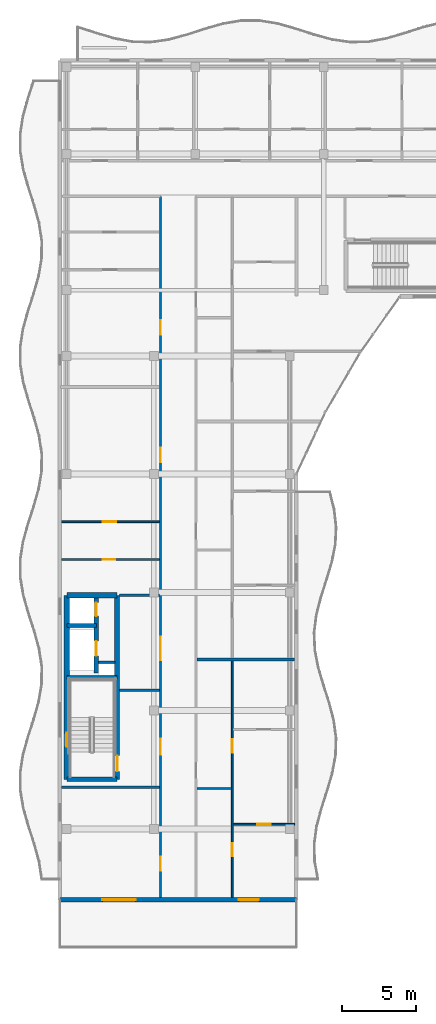
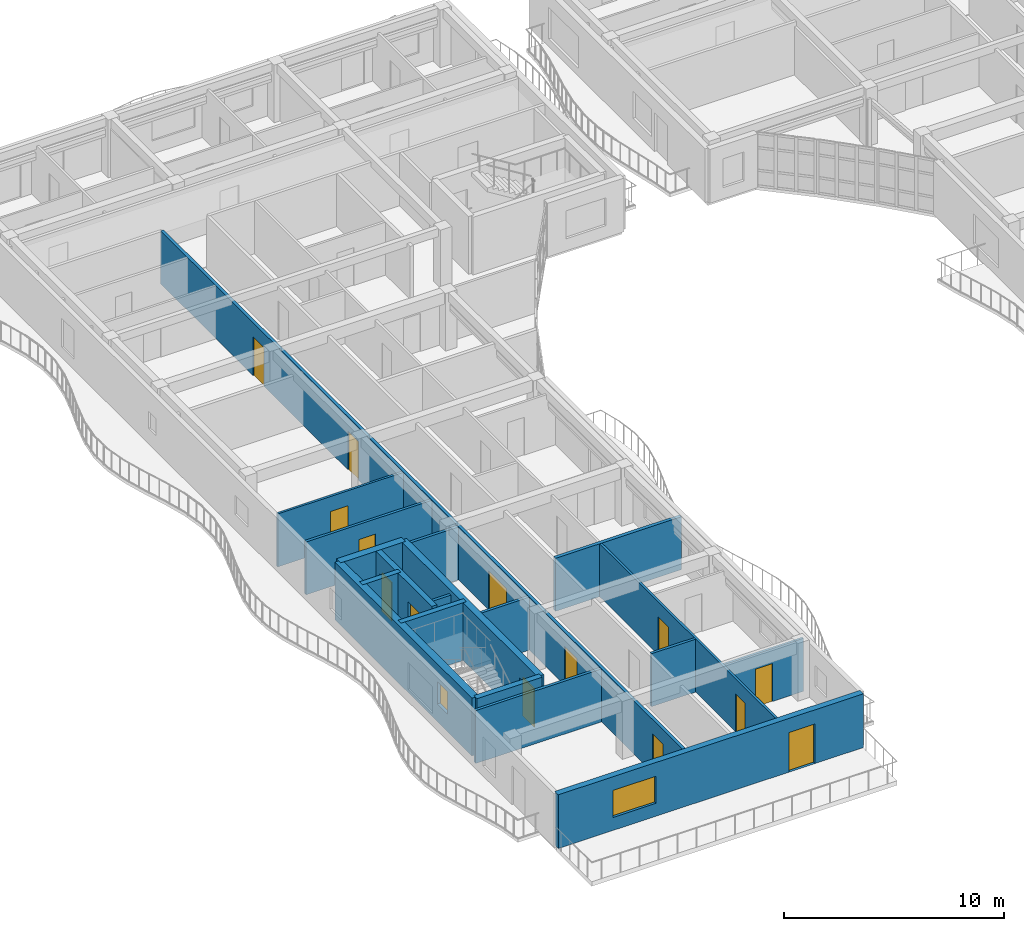
# One storey, part 29 of 72: 19 walls, 14 doors, 2 windows, 16 openings.
"""IFC4 building model written with IfcOpenShell, lengths in metres."""

from ifc_helpers import new_model, si_unit, direction, frame, frame_2d, origin, place, context, subcontext, project, spatial, rectangle, extrude, material, layer, layer_set, type_object, element, fill, save


model = new_model("IFC4")

# Units and contexts
model_context = context("Model", 3, precision=1e-05, world=origin(), true_north=direction((0.0, 1.0)))
body_context = subcontext(model_context, "Body", "Model", "MODEL_VIEW")
ifc_project = project(units=[si_unit("LENGTHUNIT", "METRE"), si_unit("AREAUNIT", "SQUARE_METRE"), si_unit("VOLUMEUNIT", "CUBIC_METRE"), si_unit("PLANEANGLEUNIT", "RADIAN"), si_unit("MASSUNIT", "GRAM", prefix="KILO")], contexts=[model_context])

# Site, building, storey
site_placement = place(None, origin())
site = spatial("IfcSite", under=ifc_project, at=site_placement, CompositionType="ELEMENT")
building_placement = place(site_placement, origin())
building = spatial("IfcBuilding", under=site, at=building_placement, Name="Keldmere Railside Commons", CompositionType="ELEMENT")
storey_placement = place(building_placement, frame((0.0, 0.0, 16.9599609375)))
storey = spatial("IfcBuildingStorey", under=building, at=storey_placement, Name="L05", CompositionType="ELEMENT", Elevation=16.9599609375)

# Wall
ifc_material_1 = material(Name="Acoustic Gypsum Board Partition", Category="gypsum")
ifc_layer_1 = layer(ifc_material_1, 0.179931640625, Name="Acoustic Demising Partition 180")
ifc_layer_set_1 = layer_set([ifc_layer_1], Name="Acoustic Gypsum Board Partition")
wall_type_1 = type_object("IfcWallType", Name="Acoustic Demising Partition 180", PredefinedType="PARTITIONING", material=ifc_layer_set_1)
wall_1_placement = place(storey_placement, frame((17.280029296875, 75.4599609375, 0.0), z_axis=(0.0, 0.0, 1.0), x_axis=(1.0, 0.0, 0.0)))
element("IfcWall", 1, at=wall_1_placement, inside=storey, type_object=wall_type_1, Name="IW-1 IW-L05-0375", PredefinedType="PARTITIONING", context=body_context, shape_type="SweptSolid", body=[
    extrude(rectangle(XDim=6.599853515625, YDim=0.179931640625, at=frame_2d((3.2998046875, 0.0))), origin(), (0.0, 0.0, 1.0), 2.93505859375),
])

# Wall, openings, doors
ifc_layer_2 = layer(ifc_material_1, 0.1201171875, Name="Apartment Interior Partition 120")
ifc_layer_set_2 = layer_set([ifc_layer_2], Name="Acoustic Gypsum Board Partition")
wall_type_2 = type_object("IfcWallType", Name="Apartment Interior Partition 120", PredefinedType="PARTITIONING", material=ifc_layer_set_2)
wall_2_placement = place(storey_placement, frame((19.659912109375, 59.360107421875, 0.0), z_axis=(0.0, 0.0, 1.0), x_axis=(0.0, 1.0, 0.0)))
wall_2 = element("IfcWall", 2, at=wall_2_placement, inside=storey, type_object=wall_type_2, Name="IW-4 IW-L05-0377", PredefinedType="PARTITIONING", context=body_context, shape_type="SweptSolid", body=[
    extrude(rectangle(XDim=16.010009765625, YDim=0.1201171875, at=frame_2d((8.0048828125, 0.0))), origin(), (0.0, 0.0, 1.0), 2.93505859375),
])
opening_1_placement = place(wall_2_placement, frame((2.796875, 0.0, 0.0)))
opening_1 = element("IfcOpeningElement", 3, at=opening_1_placement, cuts=wall_2, Name="Opening ID-04", PredefinedType="OPENING", context=body_context, shape_type="SweptSolid", body=[
    extrude(rectangle(XDim=0.860107421875, YDim=2.10009765625, at=frame_2d((0.43017578125, 1.050048828125))), frame((0.0, 0.070068359375, 0.0), z_axis=(0.0, -1.0, 0.0), x_axis=(1.0, 0.0, 0.0)), (0.0, 0.0, 1.0), 0.14013671875),
])
opening_2_placement = place(wall_2_placement, frame((9.781982421875, 0.0, 0.0)))
opening_2 = element("IfcOpeningElement", 4, at=opening_2_placement, cuts=wall_2, Name="Opening ID-03", PredefinedType="OPENING", context=body_context, shape_type="SweptSolid", body=[
    extrude(rectangle(XDim=0.919921875, YDim=2.10009765625, at=frame_2d((0.4599609375, 1.050048828125))), frame((0.0, 0.070068359375, 0.0), z_axis=(0.0, -1.0, 0.0), x_axis=(1.0, 0.0, 0.0)), (0.0, 0.0, 1.0), 0.14013671875),
])
ifc_material_2 = material(Name="Engineered Oak Timber", Category="wood")
door_type_1 = type_object("IfcDoorType", Name="Apartment Bathroom Door 860x2100", OperationType="NOTDEFINED", PredefinedType="DOOR", material=ifc_material_2)
door_1_placement = place(opening_1_placement, origin())
door_1 = element("IfcDoor", 5, at=door_1_placement, inside=storey, type_object=door_type_1, Name="ID-04 IDR-L05-0276", OperationType="SINGLE_SWING_RIGHT", OverallHeight=2.10009765625, OverallWidth=0.860107421875, PredefinedType="DOOR", context=body_context, shape_type="SweptSolid", body=[
    extrude(rectangle(XDim=0.860107421875, YDim=2.10009765625, at=frame_2d((0.43017578125, 1.050048828125))), frame((0.0, 0.02490234375, 0.0), z_axis=(0.0, -1.0, 0.0), x_axis=(1.0, 0.0, 0.0)), (0.0, 0.0, 1.0), 0.050048828125),
])
fill(opening_1, door_1)
door_type_2 = type_object("IfcDoorType", Name="Kitchen Pocket-Frame Swing Door 920x2100", OperationType="NOTDEFINED", PredefinedType="DOOR", material=ifc_material_2)
door_2_placement = place(opening_2_placement, origin())
door_2 = element("IfcDoor", 6, at=door_2_placement, inside=storey, type_object=door_type_2, Name="ID-03 IDR-L05-0277", OperationType="SINGLE_SWING_LEFT", OverallHeight=2.10009765625, OverallWidth=0.919921875, PredefinedType="DOOR", context=body_context, shape_type="SweptSolid", body=[
    extrude(rectangle(XDim=0.919921875, YDim=2.10009765625, at=frame_2d((0.4599609375, 1.050048828125))), frame((0.0, 0.02490234375, 0.0), z_axis=(0.0, -1.0, 0.0), x_axis=(1.0, 0.0, 0.0)), (0.0, 0.0, 1.0), 0.050048828125),
])
fill(opening_2, door_2)

# Wall, opening, door
wall_3_placement = place(storey_placement, frame((19.719970703125, 64.320068359375, 0.0), z_axis=(0.0, 0.0, 1.0), x_axis=(1.0, 0.0, 0.0)))
wall_3 = element("IfcWall", 7, at=wall_3_placement, inside=storey, type_object=wall_type_2, Name="IW-4 IW-L05-0379", PredefinedType="PARTITIONING", context=body_context, shape_type="SweptSolid", body=[
    extrude(rectangle(XDim=4.159912109375, YDim=0.1201171875, at=frame_2d((2.080078125, 0.0))), origin(), (0.0, 0.0, 1.0), 2.93505859375),
])
opening_3_placement = place(wall_3_placement, frame((1.6298828125, 0.0, 0.0)))
opening_3 = element("IfcOpeningElement", 8, at=opening_3_placement, cuts=wall_3, Name="Opening ID-01", PredefinedType="OPENING", context=body_context, shape_type="SweptSolid", body=[
    extrude(rectangle(XDim=0.89990234375, YDim=2.10009765625, at=frame_2d((0.449951171875, 1.050048828125))), frame((0.0, 0.070068359375, 0.0), z_axis=(0.0, -1.0, 0.0), x_axis=(1.0, 0.0, 0.0)), (0.0, 0.0, 1.0), 0.14013671875),
])
door_type_3 = type_object("IfcDoorType", Name="Primary Bedroom Door 900x2100", OperationType="NOTDEFINED", PredefinedType="DOOR", material=ifc_material_2)
door_3_placement = place(opening_3_placement, origin())
door_3 = element("IfcDoor", 9, at=door_3_placement, inside=storey, type_object=door_type_3, Name="ID-01 IDR-L05-0279", OperationType="SINGLE_SWING_LEFT", OverallHeight=2.10009765625, OverallWidth=0.89990234375, PredefinedType="DOOR", context=body_context, shape_type="SweptSolid", body=[
    extrude(rectangle(XDim=0.89990234375, YDim=2.10009765625, at=frame_2d((0.449951171875, 1.050048828125))), frame((0.0, 0.02490234375, 0.0), z_axis=(0.0, -1.0, 0.0), x_axis=(1.0, 0.0, 0.0)), (0.0, 0.0, 1.0), 0.050048828125),
])
fill(opening_3, door_3)

wall_4_placement = place(storey_placement, frame((8.1201171875, 84.780029296875, 0.0), z_axis=(0.0, 0.0, 1.0), x_axis=(1.0, 0.0, 0.0)))
wall_4 = element("IfcWall", 10, at=wall_4_placement, inside=storey, type_object=wall_type_2, Name="IW-4 IW-L05-0402", PredefinedType="PARTITIONING", context=body_context, shape_type="SweptSolid", body=[
    extrude(rectangle(XDim=6.599853515625, YDim=0.1201171875, at=frame_2d((3.2998046875, 0.0))), origin(), (0.0, 0.0, 1.0), 2.93505859375),
])
opening_4_placement = place(wall_4_placement, frame((2.77197265625, 0.0, 0.0)))
opening_4 = element("IfcOpeningElement", 11, at=opening_4_placement, cuts=wall_4, Name="Opening ID-03", PredefinedType="OPENING", context=body_context, shape_type="SweptSolid", body=[
    extrude(rectangle(XDim=0.919921875, YDim=2.10009765625, at=frame_2d((0.4599609375, 1.050048828125))), frame((0.0, 0.070068359375, 0.0), z_axis=(0.0, -1.0, 0.0), x_axis=(1.0, 0.0, 0.0)), (0.0, 0.0, 1.0), 0.14013671875),
])
door_4_placement = place(opening_4_placement, origin())
door_4 = element("IfcDoor", 12, at=door_4_placement, inside=storey, type_object=door_type_2, Name="ID-03 IDR-L05-0308", OperationType="SINGLE_SWING_RIGHT", OverallHeight=2.10009765625, OverallWidth=0.919921875, PredefinedType="DOOR", context=body_context, shape_type="SweptSolid", body=[
    extrude(rectangle(XDim=0.919921875, YDim=2.10009765625, at=frame_2d((0.4599609375, 1.050048828125))), frame((0.0, 0.02490234375, 0.0), z_axis=(0.0, -1.0, 0.0), x_axis=(1.0, 0.0, 0.0)), (0.0, 0.0, 1.0), 0.050048828125),
])
fill(opening_4, door_4)

# Walls
ifc_material_3 = material(Name="Concrete H-35 (C35/45)", Category="concrete")
ifc_layer_3 = layer(ifc_material_3, 0.280029296875, Name="Core Shear Wall 280")
ifc_layer_set_3 = layer_set([ifc_layer_3], Name="Concrete H-35 (C35/45)")
wall_type_3 = type_object("IfcWallType", Name="Core Shear Wall 280", PredefinedType="SHEAR", material=ifc_layer_set_3)
wall_5_placement = place(storey_placement, frame((8.4599609375, 74.239990234375, 0.0), z_axis=(0.0, 0.0, 1.0), x_axis=(1.0, 0.0, 0.0)))
element("IfcWall", 13, at=wall_5_placement, inside=storey, type_object=wall_type_3, Name="CSW-2 COREDM-L05-0091", PredefinedType="SHEAR", context=body_context, shape_type="SweptSolid", body=[
    extrude(rectangle(XDim=3.41015625, YDim=0.280029296875, at=frame_2d((1.705078125, 0.0))), origin(), (0.0, 0.0, 1.0), 3.199951171875),
])
wall_6_placement = place(storey_placement, frame((8.4599609375, 77.75, 0.0), z_axis=(0.0, 0.0, 1.0), x_axis=(1.0, 0.0, 0.0)))
element("IfcWall", 14, at=wall_6_placement, inside=storey, type_object=wall_type_3, Name="CSW-2 COREDL-L05-0092", PredefinedType="SHEAR", context=body_context, shape_type="SweptSolid", body=[
    extrude(rectangle(XDim=2.0, YDim=0.280029296875, at=frame_2d((1.0, 0.0))), origin(), (0.0, 0.0, 1.0), 3.199951171875),
])

# Wall, openings, doors
wall_7_placement = place(storey_placement, frame((10.4599609375, 74.550048828125, 0.0), z_axis=(0.0, 0.0, 1.0), x_axis=(0.0, 1.0, 0.0)))
wall_7 = element("IfcWall", 15, at=wall_7_placement, inside=storey, type_object=wall_type_3, Name="CSW-2 LSHD-L05-0093", PredefinedType="SHEAR", context=body_context, shape_type="SweptSolid", body=[
    extrude(rectangle(XDim=5.25, YDim=0.280029296875, at=frame_2d((2.625, 0.0))), origin(), (0.0, 0.0, 1.0), 3.199951171875),
])
opening_5_placement = place(wall_7_placement, frame((1.14990234375, 0.0, 0.0)))
opening_5 = element("IfcOpeningElement", 16, at=opening_5_placement, cuts=wall_7, Name="Opening LD-1", PredefinedType="OPENING", context=body_context, shape_type="SweptSolid", body=[
    extrude(rectangle(XDim=1.0, YDim=2.14990234375, at=frame_2d((0.5, 1.074951171875))), frame((0.0, 0.14990234375, 0.0), z_axis=(0.0, -1.0, 0.0), x_axis=(1.0, 0.0, 0.0)), (0.0, 0.0, 1.0), 0.300048828125),
])
opening_6_placement = place(wall_7_placement, frame((3.85009765625, 0.0, 0.0)))
opening_6 = element("IfcOpeningElement", 17, at=opening_6_placement, cuts=wall_7, Name="Opening LD-2", PredefinedType="OPENING", context=body_context, shape_type="SweptSolid", body=[
    extrude(rectangle(XDim=0.89990234375, YDim=2.14990234375, at=frame_2d((0.449951171875, 1.074951171875))), frame((0.0, 0.14990234375, 0.0), z_axis=(0.0, -1.0, 0.0), x_axis=(1.0, 0.0, 0.0)), (0.0, 0.0, 1.0), 0.300048828125),
])
ifc_material_4 = material(Name="Steel F-24 (S235)", Category="steel")
door_type_4 = type_object("IfcDoorType", Name="Firefighting Stretcher Lift Landing Door 1000x2150", OperationType="SLIDING_TO_LEFT", PredefinedType="DOOR", material=ifc_material_4)
door_5_placement = place(opening_5_placement, origin())
door_5 = element("IfcDoor", 18, at=door_5_placement, inside=storey, type_object=door_type_4, Name="LD-1 D L05", OperationType="SLIDING_TO_LEFT", OverallHeight=2.14990234375, OverallWidth=1.0, PredefinedType="DOOR", context=body_context, shape_type="SweptSolid", body=[
    extrude(rectangle(XDim=1.0, YDim=2.14990234375, at=frame_2d((0.5, 1.074951171875))), frame((0.0, 0.02490234375, 0.0), z_axis=(0.0, -1.0, 0.0), x_axis=(1.0, 0.0, 0.0)), (0.0, 0.0, 1.0), 0.050048828125),
])
fill(opening_5, door_5)
door_type_5 = type_object("IfcDoorType", Name="Passenger Lift Sliding Landing Door 900x2150", OperationType="SLIDING_TO_RIGHT", PredefinedType="DOOR", material=ifc_material_4)
door_6_placement = place(opening_6_placement, origin())
door_6 = element("IfcDoor", 19, at=door_6_placement, inside=storey, type_object=door_type_5, Name="LD-2 D L05", OperationType="SLIDING_TO_RIGHT", OverallHeight=2.14990234375, OverallWidth=0.89990234375, PredefinedType="DOOR", context=body_context, shape_type="SweptSolid", body=[
    extrude(rectangle(XDim=0.89990234375, YDim=2.14990234375, at=frame_2d((0.449951171875, 1.074951171875))), frame((0.0, 0.02490234375, 0.0), z_axis=(0.0, -1.0, 0.0), x_axis=(1.0, 0.0, 0.0)), (0.0, 0.0, 1.0), 0.050048828125),
])
fill(opening_6, door_6)

# Wall, opening, window
ifc_material_5 = material(Name="Concrete H-40 (C40/50)", Category="concrete")
ifc_layer_4 = layer(ifc_material_5, 0.3798828125, Name="Core Shear Wall 380")
ifc_layer_set_4 = layer_set([ifc_layer_4], Name="Concrete H-40 (C40/50)")
wall_type_4 = type_object("IfcWallType", Name="Core Shear Wall 380", PredefinedType="SHEAR", material=ifc_layer_set_4)
wall_8_placement = place(storey_placement, frame((8.4599609375, 67.35009765625, 0.0), z_axis=(0.0, 0.0, 1.0), x_axis=(0.0, 1.0, 0.0)))
wall_8 = element("IfcWall", 20, at=wall_8_placement, inside=storey, type_object=wall_type_4, Name="CW-CORE COREDW-L05-0087", PredefinedType="SHEAR", context=body_context, shape_type="SweptSolid", body=[
    extrude(rectangle(XDim=12.449951171875, YDim=0.3798828125, at=frame_2d((6.22509765625, 0.0))), origin(), (0.0, 0.0, 1.0), 3.199951171875),
])
opening_7_placement = place(wall_8_placement, frame((2.199951171875, 0.0, 0.969970703125)))
opening_7 = element("IfcOpeningElement", 21, at=opening_7_placement, cuts=wall_8, Name="Opening WN-17", PredefinedType="OPENING", context=body_context, shape_type="SweptSolid", body=[
    extrude(rectangle(XDim=0.949951171875, YDim=1.25, at=frame_2d((0.47509765625, 0.625))), frame((0.0, 0.199951171875, 0.0), z_axis=(0.0, -1.0, 0.0), x_axis=(1.0, 0.0, 0.0)), (0.0, 0.0, 1.0), 0.39990234375),
])
ifc_material_6 = material(Name="Low-E Insulated Double Glazing", Category="glass")
window_type_1 = type_object("IfcWindowType", Name="Stair Core Natural Smoke-Vent Window 950x1250", PartitioningType="SINGLE_PANEL", PredefinedType="WINDOW", material=ifc_material_6)
window_1_placement = place(opening_7_placement, origin())
window_1 = element("IfcWindow", 22, at=window_1_placement, inside=storey, type_object=window_type_1, Name="WN-17 WIN-L05-0012", OverallHeight=1.25, OverallWidth=0.949951171875, PartitioningType="SINGLE_PANEL", PredefinedType="WINDOW", context=body_context, shape_type="SweptSolid", body=[
    extrude(rectangle(XDim=0.949951171875, YDim=1.25, at=frame_2d((0.47509765625, 0.625))), frame((0.0, 0.030029296875, 0.0), z_axis=(0.0, -1.0, 0.0), x_axis=(1.0, 0.0, 0.0)), (0.0, 0.0, 1.0), 0.06005859375),
])
fill(opening_7, window_1)

# Wall
wall_9_placement = place(storey_placement, frame((8.4599609375, 79.800048828125, 0.0), z_axis=(0.0, 0.0, 1.0), x_axis=(1.0, 0.0, 0.0)))
element("IfcWall", 23, at=wall_9_placement, inside=storey, type_object=wall_type_4, Name="CW-CORE COREDN-L05-0088", PredefinedType="SHEAR", context=body_context, shape_type="SweptSolid", body=[
    extrude(rectangle(XDim=3.41015625, YDim=0.3798828125, at=frame_2d((1.705078125, 0.0))), origin(), (0.0, 0.0, 1.0), 3.199951171875),
])

# Wall, openings, doors
ifc_layer_5 = layer(ifc_material_1, 0.159912109375, Name="Corridor Fire Partition 160")
ifc_layer_set_5 = layer_set([ifc_layer_5], Name="Acoustic Gypsum Board Partition")
wall_type_5 = type_object("IfcWallType", Name="Corridor Fire Partition 160", PredefinedType="PARTITIONING", material=ifc_layer_set_5)
wall_10_placement = place(storey_placement, frame((14.800048828125, 59.360107421875, 0.0), z_axis=(0.0, 0.0, 1.0), x_axis=(0.0, 1.0, 0.0)))
wall_10 = element("IfcWall", 24, at=wall_10_placement, inside=storey, type_object=wall_type_5, Name="IW-2 IW-L05-0367", PredefinedType="PARTITIONING", context=body_context, shape_type="SweptSolid", body=[
    extrude(rectangle(XDim=47.43994140625, YDim=0.159912109375, at=frame_2d((23.719970703125, 0.0))), origin(), (0.0, 0.0, 1.0), 2.93505859375),
])
opening_8_placement = place(wall_10_placement, frame((9.639892578125, 0.0, 0.0)))
opening_8 = element("IfcOpeningElement", 25, at=opening_8_placement, cuts=wall_10, Name="Opening FD-2", PredefinedType="OPENING", context=body_context, shape_type="SweptSolid", body=[
    extrude(rectangle(XDim=1.10009765625, YDim=2.14990234375, at=frame_2d((0.550048828125, 1.074951171875))), frame((0.0, 0.08984375, 0.0), z_axis=(0.0, -1.0, 0.0), x_axis=(1.0, 0.0, 0.0)), (0.0, 0.0, 1.0), 0.179931640625),
])
opening_9_placement = place(wall_10_placement, frame((16.0400390625, 0.0, 0.0)))
opening_9 = element("IfcOpeningElement", 26, at=opening_9_placement, cuts=wall_10, Name="Opening FD-4", PredefinedType="OPENING", context=body_context, shape_type="SweptSolid", body=[
    extrude(rectangle(XDim=1.60009765625, YDim=2.14990234375, at=frame_2d((0.800048828125, 1.074951171875))), frame((0.0, 0.08984375, 0.0), z_axis=(0.0, -1.0, 0.0), x_axis=(1.0, 0.0, 0.0)), (0.0, 0.0, 1.0), 0.179931640625),
])
opening_10_placement = place(wall_10_placement, frame((1.800048828125, 0.0, 0.0)))
opening_10 = element("IfcOpeningElement", 27, at=opening_10_placement, cuts=wall_10, Name="Opening ID-08", PredefinedType="OPENING", context=body_context, shape_type="SweptSolid", body=[
    extrude(rectangle(XDim=0.9599609375, YDim=2.14990234375, at=frame_2d((0.47998046875, 1.074951171875))), frame((0.0, 0.08984375, 0.0), z_axis=(0.0, -1.0, 0.0), x_axis=(1.0, 0.0, 0.0)), (0.0, 0.0, 1.0), 0.179931640625),
])
opening_11_placement = place(wall_10_placement, frame((29.445068359375, 0.0, 0.0)))
opening_11 = element("IfcOpeningElement", 28, at=opening_11_placement, cuts=wall_10, Name="Opening FD-7", PredefinedType="OPENING", context=body_context, shape_type="SweptSolid", body=[
    extrude(rectangle(XDim=0.97998046875, YDim=2.14990234375, at=frame_2d((0.489990234375, 1.074951171875))), frame((0.0, 0.08984375, 0.0), z_axis=(0.0, -1.0, 0.0), x_axis=(1.0, 0.0, 0.0)), (0.0, 0.0, 1.0), 0.179931640625),
])
opening_12_placement = place(wall_10_placement, frame((38.054931640625, 0.0, 0.0)))
opening_12 = element("IfcOpeningElement", 29, at=opening_12_placement, cuts=wall_10, Name="Opening FD-7", PredefinedType="OPENING", context=body_context, shape_type="SweptSolid", body=[
    extrude(rectangle(XDim=0.97998046875, YDim=2.14990234375, at=frame_2d((0.489990234375, 1.074951171875))), frame((0.0, 0.08984375, 0.0), z_axis=(0.0, -1.0, 0.0), x_axis=(1.0, 0.0, 0.0)), (0.0, 0.0, 1.0), 0.179931640625),
])
door_type_6 = type_object("IfcDoorType", Name="Apartment Entrance Acoustic Fire Door 980x2150", OperationType="NOTDEFINED", PredefinedType="DOOR", material=ifc_material_2)
door_7_placement = place(opening_11_placement, origin())
door_7 = element("IfcDoor", 30, at=door_7_placement, inside=storey, type_object=door_type_6, Name="FD-7 IDR-L05-0309", OperationType="SINGLE_SWING_LEFT", OverallHeight=2.14990234375, OverallWidth=0.97998046875, PredefinedType="DOOR", context=body_context, shape_type="SweptSolid", body=[
    extrude(rectangle(XDim=0.97998046875, YDim=2.14990234375, at=frame_2d((0.489990234375, 1.074951171875))), frame((0.0, 0.02490234375, 0.0), z_axis=(0.0, -1.0, 0.0), x_axis=(1.0, 0.0, 0.0)), (0.0, 0.0, 1.0), 0.050048828125),
])
fill(opening_11, door_7)
door_8_placement = place(opening_12_placement, origin())
door_8 = element("IfcDoor", 31, at=door_8_placement, inside=storey, type_object=door_type_6, Name="FD-7 IDR-L05-0312", OperationType="SINGLE_SWING_RIGHT", OverallHeight=2.14990234375, OverallWidth=0.97998046875, PredefinedType="DOOR", context=body_context, shape_type="SweptSolid", body=[
    extrude(rectangle(XDim=0.97998046875, YDim=2.14990234375, at=frame_2d((0.489990234375, 1.074951171875))), frame((0.0, 0.02490234375, 0.0), z_axis=(0.0, -1.0, 0.0), x_axis=(1.0, 0.0, 0.0)), (0.0, 0.0, 1.0), 0.050048828125),
])
fill(opening_12, door_8)
door_type_7 = type_object("IfcDoorType", Name="Corridor Cross-Compartment Double Fire Door 1600x2150", OperationType="DOUBLE_DOOR_SINGLE_SWING", PredefinedType="DOOR", material=ifc_material_4)
door_9_placement = place(opening_9_placement, origin())
door_9 = element("IfcDoor", 32, at=door_9_placement, inside=storey, type_object=door_type_7, Name="FD-4 IDR-L05-0275", OperationType="DOUBLE_DOOR_SINGLE_SWING", OverallHeight=2.14990234375, OverallWidth=1.60009765625, PredefinedType="DOOR", context=body_context, shape_type="SweptSolid", body=[
    extrude(rectangle(XDim=1.60009765625, YDim=2.14990234375, at=frame_2d((0.800048828125, 1.074951171875))), frame((0.0, 0.02490234375, 0.0), z_axis=(0.0, -1.0, 0.0), x_axis=(1.0, 0.0, 0.0)), (0.0, 0.0, 1.0), 0.050048828125),
])
fill(opening_9, door_9)
door_type_8 = type_object("IfcDoorType", Name="Firefighting Lobby Fire Door 1100x2150", OperationType="NOTDEFINED", PredefinedType="DOOR", material=ifc_material_4)
door_10_placement = place(opening_8_placement, origin())
door_10 = element("IfcDoor", 33, at=door_10_placement, inside=storey, type_object=door_type_8, Name="FD-2 IDR-L05-0274", OperationType="SINGLE_SWING_RIGHT", OverallHeight=2.14990234375, OverallWidth=1.10009765625, PredefinedType="DOOR", context=body_context, shape_type="SweptSolid", body=[
    extrude(rectangle(XDim=1.10009765625, YDim=2.14990234375, at=frame_2d((0.550048828125, 1.074951171875))), frame((0.0, 0.02490234375, 0.0), z_axis=(0.0, -1.0, 0.0), x_axis=(1.0, 0.0, 0.0)), (0.0, 0.0, 1.0), 0.050048828125),
])
fill(opening_8, door_10)
door_type_9 = type_object("IfcDoorType", Name="Study & Meeting Room Door 960x2150", OperationType="NOTDEFINED", PredefinedType="DOOR", material=ifc_material_2)
door_11_placement = place(opening_10_placement, origin())
door_11 = element("IfcDoor", 34, at=door_11_placement, inside=storey, type_object=door_type_9, Name="ID-08 IDR-L05-0306", OperationType="SINGLE_SWING_RIGHT", OverallHeight=2.14990234375, OverallWidth=0.9599609375, PredefinedType="DOOR", context=body_context, shape_type="SweptSolid", body=[
    extrude(rectangle(XDim=0.9599609375, YDim=2.14990234375, at=frame_2d((0.47998046875, 1.074951171875))), frame((0.0, 0.02490234375, 0.0), z_axis=(0.0, -1.0, 0.0), x_axis=(1.0, 0.0, 0.0)), (0.0, 0.0, 1.0), 0.050048828125),
])
fill(opening_10, door_11)

# Wall, openings, door, window
ifc_layer_6 = layer(ifc_material_3, 0.320068359375, Name="Exterior Shear Wall 320")
ifc_layer_set_6 = layer_set([ifc_layer_6], Name="Concrete H-35 (C35/45)")
wall_type_6 = type_object("IfcWallType", Name="Exterior Shear Wall 320", PredefinedType="SHEAR", material=ifc_layer_set_6)
wall_11_placement = place(storey_placement, frame((24.0, 59.199951171875, 0.0), z_axis=(0.0, 0.0, 1.0), x_axis=(-1.0, 0.0, 0.0)))
wall_11 = element("IfcWall", 35, at=wall_11_placement, inside=storey, type_object=wall_type_6, Name="ESW-2 EXTD-L05-0157", PredefinedType="SHEAR", context=body_context, shape_type="SweptSolid", body=[
    extrude(rectangle(XDim=16.0, YDim=0.320068359375, at=frame_2d((8.0, 0.0))), origin(), (0.0, 0.0, 1.0), 2.97998046875),
])
opening_13_placement = place(wall_11_placement, frame((2.550048828125, 0.0, 0.0)))
opening_13 = element("IfcOpeningElement", 36, at=opening_13_placement, cuts=wall_11, Name="Opening BD-03", PredefinedType="OPENING", context=body_context, shape_type="SweptSolid", body=[
    extrude(rectangle(XDim=1.35009765625, YDim=2.199951171875, at=frame_2d((0.675048828125, 1.10009765625))), frame((0.0, 0.169921875, 0.0), z_axis=(0.0, -1.0, 0.0), x_axis=(1.0, 0.0, 0.0)), (0.0, 0.0, 1.0), 0.340087890625),
])
opening_14_placement = place(wall_11_placement, frame((10.875, 0.0, 0.719970703125)))
opening_14 = element("IfcOpeningElement", 37, at=opening_14_placement, cuts=wall_11, Name="Opening WN-12", PredefinedType="OPENING", context=body_context, shape_type="SweptSolid", body=[
    extrude(rectangle(XDim=2.25, YDim=1.5, at=frame_2d((1.125, 0.75))), frame((0.0, 0.169921875, 0.0), z_axis=(0.0, -1.0, 0.0), x_axis=(1.0, 0.0, 0.0)), (0.0, 0.0, 1.0), 0.340087890625),
])
ifc_material_7 = material(Name="Thermally Broken Aluminium", Category="aluminium")
door_type_10 = type_object("IfcDoorType", Name="Planted Roof-Terrace Lounge Door 1350x2200", OperationType="NOTDEFINED", PredefinedType="DOOR", material=ifc_material_7)
door_12_placement = place(opening_13_placement, origin())
door_12 = element("IfcDoor", 38, at=door_12_placement, inside=storey, type_object=door_type_10, Name="BD-03 DR-L05-0031", OperationType="SINGLE_SWING_LEFT", OverallHeight=2.199951171875, OverallWidth=1.35009765625, PredefinedType="DOOR", context=body_context, shape_type="SweptSolid", body=[
    extrude(rectangle(XDim=1.35009765625, YDim=2.199951171875, at=frame_2d((0.675048828125, 1.10009765625))), frame((0.0, 0.02490234375, 0.0), z_axis=(0.0, -1.0, 0.0), x_axis=(1.0, 0.0, 0.0)), (0.0, 0.0, 1.0), 0.050048828125),
])
fill(opening_13, door_12)
window_type_2 = type_object("IfcWindowType", Name="Studio Court Ribbon Window 2250x1500", PartitioningType="SINGLE_PANEL", PredefinedType="WINDOW", material=ifc_material_6)
window_2_placement = place(opening_14_placement, origin())
window_2 = element("IfcWindow", 39, at=window_2_placement, inside=storey, type_object=window_type_2, Name="WN-12 WIN-L05-0100", OverallHeight=1.5, OverallWidth=2.25, PartitioningType="SINGLE_PANEL", PredefinedType="WINDOW", context=body_context, shape_type="SweptSolid", body=[
    extrude(rectangle(XDim=2.25, YDim=1.5, at=frame_2d((1.125, 0.75))), frame((0.0, 0.030029296875, 0.0), z_axis=(0.0, -1.0, 0.0), x_axis=(1.0, 0.0, 0.0)), (0.0, 0.0, 1.0), 0.06005859375),
])
fill(opening_14, window_2)

# Wall
ifc_layer_7 = layer(ifc_material_3, 0.300048828125, Name="Interior Shear Wall 300")
ifc_layer_set_7 = layer_set([ifc_layer_7], Name="Concrete H-35 (C35/45)")
wall_type_7 = type_object("IfcWallType", Name="Interior Shear Wall 300", PredefinedType="SHEAR", material=ifc_layer_set_7)
wall_12_placement = place(storey_placement, frame((11.8701171875, 67.35009765625, 0.0), z_axis=(0.0, 0.0, 1.0), x_axis=(-1.0, 0.0, 0.0)))
element("IfcWall", 40, at=wall_12_placement, inside=storey, type_object=wall_type_7, Name="ISW-2 COREDS-L05-0090", PredefinedType="SHEAR", context=body_context, shape_type="SweptSolid", body=[
    extrude(rectangle(XDim=3.41015625, YDim=0.300048828125, at=frame_2d((1.705078125, 0.0))), origin(), (0.0, 0.0, 1.0), 3.199951171875),
])

# Wall, opening, door
ifc_layer_8 = layer(ifc_material_3, 0.340087890625, Name="Interior Shear Wall 340")
ifc_layer_set_8 = layer_set([ifc_layer_8], Name="Concrete H-35 (C35/45)")
wall_type_8 = type_object("IfcWallType", Name="Interior Shear Wall 340", PredefinedType="SHEAR", material=ifc_layer_set_8)
wall_13_placement = place(storey_placement, frame((11.8701171875, 79.800048828125, 0.0), z_axis=(0.0, 0.0, 1.0), x_axis=(0.0, -1.0, 0.0)))
wall_13 = element("IfcWall", 41, at=wall_13_placement, inside=storey, type_object=wall_type_8, Name="ISW-1 COREDE-L05-0089", PredefinedType="SHEAR", context=body_context, shape_type="SweptSolid", body=[
    extrude(rectangle(XDim=12.449951171875, YDim=0.340087890625, at=frame_2d((6.22509765625, 0.0))), origin(), (0.0, 0.0, 1.0), 3.199951171875),
])
opening_15_placement = place(wall_13_placement, frame((10.85009765625, 0.0, 0.0)))
opening_15 = element("IfcOpeningElement", 42, at=opening_15_placement, cuts=wall_13, Name="Opening FD-1", PredefinedType="OPENING", context=body_context, shape_type="SweptSolid", body=[
    extrude(rectangle(XDim=1.050048828125, YDim=2.14990234375, at=frame_2d((0.52490234375, 1.074951171875))), frame((0.0, 0.179931640625, 0.0), z_axis=(0.0, -1.0, 0.0), x_axis=(1.0, 0.0, 0.0)), (0.0, 0.0, 1.0), 0.360107421875),
])
door_type_11 = type_object("IfcDoorType", Name="Stair Core Fire Door 1050x2150", OperationType="NOTDEFINED", PredefinedType="DOOR", material=ifc_material_4)
door_13_placement = place(opening_15_placement, origin())
door_13 = element("IfcDoor", 43, at=door_13_placement, inside=storey, type_object=door_type_11, Name="FD-1 D1 L05", OperationType="SINGLE_SWING_LEFT", OverallHeight=2.14990234375, OverallWidth=1.050048828125, PredefinedType="DOOR", context=body_context, shape_type="SweptSolid", body=[
    extrude(rectangle(XDim=1.050048828125, YDim=2.14990234375, at=frame_2d((0.52490234375, 1.074951171875))), frame((0.0, 0.02490234375, 0.0), z_axis=(0.0, -1.0, 0.0), x_axis=(1.0, 0.0, 0.0)), (0.0, 0.0, 1.0), 0.050048828125),
])
fill(opening_15, door_13)

# Walls
ifc_layer_9 = layer(ifc_material_1, 0.14990234375, Name="Lobby Rated Partition 150")
ifc_layer_set_9 = layer_set([ifc_layer_9], Name="Acoustic Gypsum Board Partition")
wall_type_9 = type_object("IfcWallType", Name="Lobby Rated Partition 150", PredefinedType="PARTITIONING", material=ifc_layer_set_9)
wall_14_placement = place(storey_placement, frame((10.60009765625, 75.280029296875, 0.0), z_axis=(0.0, 0.0, 1.0), x_axis=(1.0, 0.0, 0.0)))
element("IfcWall", 44, at=wall_14_placement, inside=storey, type_object=wall_type_9, Name="IW-3 RSRND-L05-0094", PredefinedType="PARTITIONING", context=body_context, shape_type="SweptSolid", body=[
    extrude(rectangle(XDim=1.1298828125, YDim=0.14990234375, at=frame_2d((0.56494140625, 0.0))), origin(), (0.0, 0.0, 1.0), 2.949951171875),
])
wall_15_placement = place(storey_placement, frame((8.1201171875, 66.820068359375, 0.0), z_axis=(0.0, 0.0, 1.0), x_axis=(1.0, 0.0, 0.0)))
element("IfcWall", 45, at=wall_15_placement, inside=storey, type_object=wall_type_9, Name="IW-3 IW-L05-0364", PredefinedType="PARTITIONING", context=body_context, shape_type="SweptSolid", body=[
    extrude(rectangle(XDim=6.599853515625, YDim=0.14990234375, at=frame_2d((3.2998046875, 0.0))), origin(), (0.0, 0.0, 1.0), 2.93505859375),
])
for number, where, z_axis, x_axis, name in (
    (46, (12.0400390625, 73.3798828125, 0.0), (0.0, 0.0, 1.0), (1.0, 0.0, 0.0), "IW-3 IW-L05-0365"),
    (47, (12.0400390625, 79.800048828125, 0.0), (0.0, 0.0, 1.0), (1.0, 0.0, 0.0), "IW-3 IW-L05-0366"),
):
    element("IfcWall", number, at=place(storey_placement, frame(where, z_axis=z_axis, x_axis=x_axis)), inside=storey, type_object=wall_type_9, Name=name, PredefinedType="PARTITIONING", context=body_context, shape_type="SweptSolid", body=[
        extrude(rectangle(XDim=2.679931640625, YDim=0.14990234375, at=frame_2d((1.33984375, 0.0))), origin(), (0.0, 0.0, 1.0), 2.93505859375),
    ])
ifc_layer_10 = layer(ifc_material_1, 0.139892578125, Name="Wet-Room Sanitary Partition 140")
ifc_layer_set_10 = layer_set([ifc_layer_10], Name="Acoustic Gypsum Board Partition")
wall_type_10 = type_object("IfcWallType", Name="Wet-Room Sanitary Partition 140", PredefinedType="PARTITIONING", material=ifc_layer_set_10)
wall_16_placement = place(storey_placement, frame((17.280029296875, 66.719970703125, 0.0), z_axis=(0.0, 0.0, 1.0), x_axis=(1.0, 0.0, 0.0)))
element("IfcWall", 48, at=wall_16_placement, inside=storey, type_object=wall_type_10, Name="IW-5 IW-L05-0378", PredefinedType="PARTITIONING", context=body_context, shape_type="SweptSolid", body=[
    extrude(rectangle(XDim=2.320068359375, YDim=0.139892578125, at=frame_2d((1.16015625, 0.0))), origin(), (0.0, 0.0, 1.0), 2.93505859375),
])

# Wall, opening, door
wall_17_placement = place(storey_placement, frame((8.1201171875, 82.22998046875, 0.0), z_axis=(0.0, 0.0, 1.0), x_axis=(1.0, 0.0, 0.0)))
wall_17 = element("IfcWall", 49, at=wall_17_placement, inside=storey, type_object=wall_type_10, Name="IW-5 IW-L05-0401", PredefinedType="PARTITIONING", context=body_context, shape_type="SweptSolid", body=[
    extrude(rectangle(XDim=6.599853515625, YDim=0.139892578125, at=frame_2d((3.2998046875, 0.0))), origin(), (0.0, 0.0, 1.0), 2.93505859375),
])
opening_16_placement = place(wall_17_placement, frame((2.77197265625, 0.0, 0.0)))
opening_16 = element("IfcOpeningElement", 50, at=opening_16_placement, cuts=wall_17, Name="Opening ID-04", PredefinedType="OPENING", context=body_context, shape_type="SweptSolid", body=[
    extrude(rectangle(XDim=0.860107421875, YDim=2.10009765625, at=frame_2d((0.43017578125, 1.050048828125))), frame((0.0, 0.079833984375, 0.0), z_axis=(0.0, -1.0, 0.0), x_axis=(1.0, 0.0, 0.0)), (0.0, 0.0, 1.0), 0.159912109375),
])
door_14_placement = place(opening_16_placement, origin())
door_14 = element("IfcDoor", 51, at=door_14_placement, inside=storey, type_object=door_type_1, Name="ID-04 IDR-L05-0307", OperationType="SINGLE_SWING_LEFT", OverallHeight=2.10009765625, OverallWidth=0.860107421875, PredefinedType="DOOR", context=body_context, shape_type="SweptSolid", body=[
    extrude(rectangle(XDim=0.860107421875, YDim=2.10009765625, at=frame_2d((0.43017578125, 1.050048828125))), frame((0.0, 0.02490234375, 0.0), z_axis=(0.0, -1.0, 0.0), x_axis=(1.0, 0.0, 0.0)), (0.0, 0.0, 1.0), 0.050048828125),
])
fill(opening_16, door_14)

save(model, "model.ifc")
